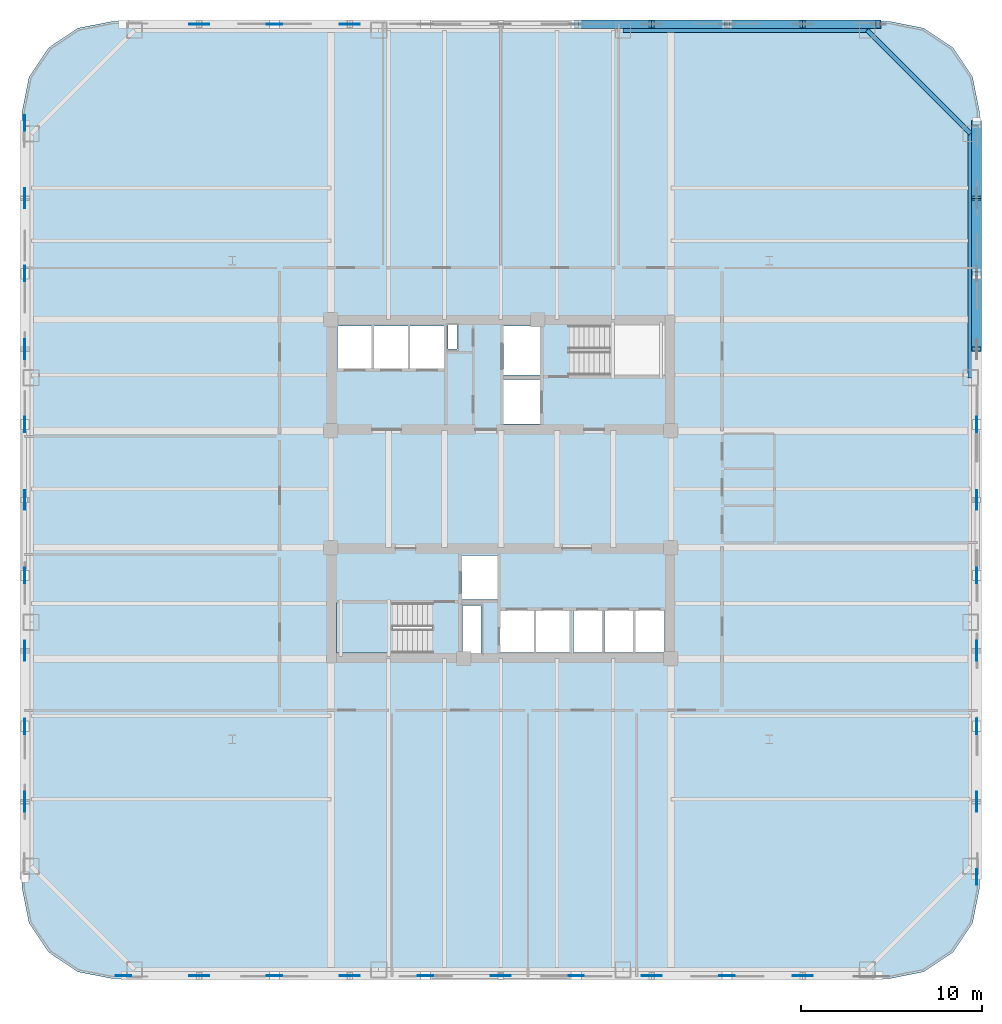
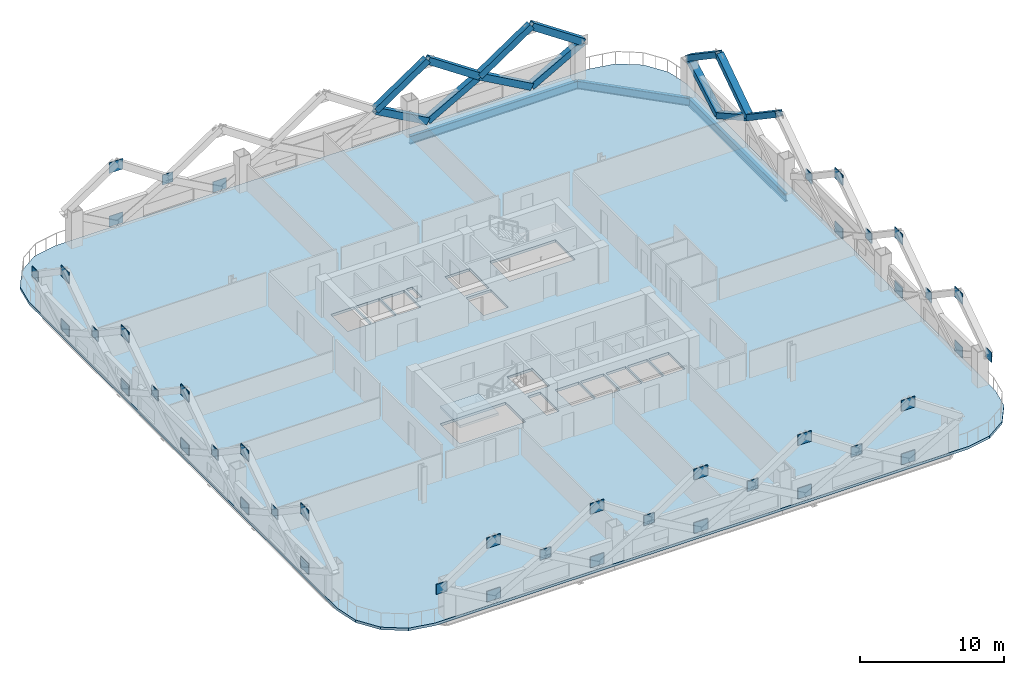
# One storey, part 3 of 13: 44 plates, 13 members, 3 beams, 2 slabs, 1 element without a shape of its own.
"""IFC4 building model written with IfcOpenShell, lengths in metres."""

from ifc_helpers import new_model, si_unit, direction, frame, origin, origin_2d, place, context, subcontext, project, spatial, polyline, rectangle, hollow_rectangle, i_section, outline, extrude, material, layer, layer_set, material_profile, profile_set, type_object, element, aggregate, save


model = new_model("IFC4")

# Units and contexts
model_context = context("Model", 3, precision=1e-05, world=origin(), true_north=direction((0.0, 1.0)))
body_context = subcontext(model_context, "Body", "Model", "MODEL_VIEW")
ifc_project = project(units=[si_unit("LENGTHUNIT", "METRE"), si_unit("AREAUNIT", "SQUARE_METRE"), si_unit("VOLUMEUNIT", "CUBIC_METRE"), si_unit("PLANEANGLEUNIT", "RADIAN"), si_unit("MASSUNIT", "GRAM", prefix="KILO")], contexts=[model_context])

# Site, building, storey
site_placement = place(None, origin())
site = spatial("IfcSite", under=ifc_project, at=site_placement, CompositionType="ELEMENT")
building_placement = place(site_placement, origin())
building = spatial("IfcBuilding", under=site, at=building_placement, Name="Qhalaya Broadcast Tower", CompositionType="ELEMENT")
storey_placement = place(building_placement, frame((0.0, 0.0, 44.39990234375)))
storey = spatial("IfcBuildingStorey", under=building, at=storey_placement, Name="L12", CompositionType="ELEMENT", Elevation=44.39990234375)

# Members
ifc_material_1 = material(Name="Structural Steel ASTM A572 Grade 50", Category="steel")
ifc_material_profile_1 = material_profile(ifc_material_1, hollow_rectangle(XDim=0.449951171875, YDim=0.550048828125, WallThickness=0.031982421875, at=origin_2d()), Name="BOX 450x550x32")
ifc_profile_set_1 = profile_set([ifc_material_profile_1], Name="Structural Steel ASTM A572 Grade 50")
member_type = type_object("IfcMemberType", Name="Exoskeleton Diamond Diagonal Lower EX1", PredefinedType="BRACE", material=ifc_profile_set_1)
member_1_placement = place(storey_placement, frame((26.239990234375, 12.47998046875, 2.690185546875), z_axis=(0.0, -0.828675543973, 0.5597292585), x_axis=(0.0, 0.5597292585, 0.828675543973)))
element("IfcMember", 1, at=member_1_placement, inside=storey, type_object=member_type, Name="B1 Exoskeleton Diamond Brace E4-D4", PredefinedType="BRACE", context=body_context, shape_type="SweptSolid", body=[
    extrude(hollow_rectangle(XDim=0.449951171875, YDim=0.550048828125, WallThickness=0.031982421875, at=origin_2d()), origin(), (0.0, 0.0, 1.0), 5.02001953125),
])
member_2_placement = place(storey_placement, frame((26.239990234375, 16.639892578125, 0.360107421875), z_axis=(0.0, -0.872458862126, 0.488687562658), x_axis=(0.0, 0.488687562658, 0.872458862126)))
element("IfcMember", 2, at=member_2_placement, inside=storey, type_object=member_type, Name="B1 Exoskeleton Diamond Brace E5-D1", PredefinedType="BRACE", context=body_context, shape_type="SweptSolid", body=[
    extrude(hollow_rectangle(XDim=0.449951171875, YDim=0.550048828125, WallThickness=0.031982421875, at=origin_2d()), origin(), (0.0, 0.0, 1.0), 4.76806640625),
])
member_3_placement = place(storey_placement, frame((26.239990234375, 16.639892578125, 0.360107421875), z_axis=(0.0, 0.872471089532, 0.488665732306), x_axis=(0.0, -0.488665732306, 0.872471089532)))
element("IfcMember", 3, at=member_3_placement, inside=storey, type_object=member_type, Name="B1 Exoskeleton Diamond Brace E5-D2", PredefinedType="BRACE", context=body_context, shape_type="SweptSolid", body=[
    extrude(hollow_rectangle(XDim=0.449951171875, YDim=0.550048828125, WallThickness=0.031982421875, at=origin_2d()), origin(), (0.0, 0.0, 1.0), 4.768310546875),
])
member_4_placement = place(storey_placement, frame((26.239990234375, 12.47998046875, 2.690185546875), z_axis=(0.0, 0.828675543973, 0.5597292585), x_axis=(0.0, -0.5597292585, 0.828675543973)))
element("IfcMember", 4, at=member_4_placement, inside=storey, type_object=member_type, Name="B1 Exoskeleton Diamond Brace E5-D3", PredefinedType="BRACE", context=body_context, shape_type="SweptSolid", body=[
    extrude(hollow_rectangle(XDim=0.449951171875, YDim=0.550048828125, WallThickness=0.031982421875, at=origin_2d()), origin(), (0.0, 0.0, 1.0), 5.02001953125),
])
member_5_placement = place(storey_placement, frame((26.239990234375, 20.800048828125, 2.690185546875), z_axis=(0.0, -0.828690779946, 0.559706701079), x_axis=(0.0, 0.559706701079, 0.828690779946)))
element("IfcMember", 5, at=member_5_placement, inside=storey, type_object=member_type, Name="B1 Exoskeleton Diamond Brace E5-D4", PredefinedType="BRACE", context=body_context, shape_type="SweptSolid", body=[
    extrude(hollow_rectangle(XDim=0.449951171875, YDim=0.550048828125, WallThickness=0.031982421875, at=origin_2d()), origin(), (0.0, 0.0, 1.0), 5.020263671875),
])
member_6_placement = place(storey_placement, frame((16.639892578125, 26.239990234375, 0.360107421875), z_axis=(0.872471089532, 0.0, 0.488665732306), x_axis=(0.0, 1.0, 0.0)))
element("IfcMember", 6, at=member_6_placement, inside=storey, type_object=member_type, Name="B1 Exoskeleton Diamond Brace N1-D1", PredefinedType="BRACE", context=body_context, shape_type="SweptSolid", body=[
    extrude(hollow_rectangle(XDim=0.449951171875, YDim=0.550048828125, WallThickness=0.031982421875, at=origin_2d()), origin(), (0.0, 0.0, 1.0), 4.768310546875),
])
member_7_placement = place(storey_placement, frame((16.639892578125, 26.239990234375, 0.360107421875), z_axis=(-0.872458862126, 0.0, 0.488687562658), x_axis=(0.0, -1.0, 0.0)))
element("IfcMember", 7, at=member_7_placement, inside=storey, type_object=member_type, Name="B1 Exoskeleton Diamond Brace N1-D2", PredefinedType="BRACE", context=body_context, shape_type="SweptSolid", body=[
    extrude(hollow_rectangle(XDim=0.449951171875, YDim=0.550048828125, WallThickness=0.031982421875, at=origin_2d()), origin(), (0.0, 0.0, 1.0), 4.76806640625),
])
member_8_placement = place(storey_placement, frame((20.800048828125, 26.239990234375, 2.690185546875), z_axis=(-0.828690779946, 0.0, 0.559706701079), x_axis=(0.0, -1.0, 0.0)))
element("IfcMember", 8, at=member_8_placement, inside=storey, type_object=member_type, Name="B1 Exoskeleton Diamond Brace N1-D3", PredefinedType="BRACE", context=body_context, shape_type="SweptSolid", body=[
    extrude(hollow_rectangle(XDim=0.449951171875, YDim=0.550048828125, WallThickness=0.031982421875, at=origin_2d()), origin(), (0.0, 0.0, 1.0), 5.020263671875),
])
member_9_placement = place(storey_placement, frame((12.47998046875, 26.239990234375, 2.690185546875), z_axis=(0.828675543973, 0.0, 0.5597292585), x_axis=(0.0, 1.0, 0.0)))
element("IfcMember", 9, at=member_9_placement, inside=storey, type_object=member_type, Name="B1 Exoskeleton Diamond Brace N1-D4", PredefinedType="BRACE", context=body_context, shape_type="SweptSolid", body=[
    extrude(hollow_rectangle(XDim=0.449951171875, YDim=0.550048828125, WallThickness=0.031982421875, at=origin_2d()), origin(), (0.0, 0.0, 1.0), 5.02001953125),
])
member_10_placement = place(storey_placement, frame((8.320068359375, 26.239990234375, 0.360107421875), z_axis=(0.872458862126, 0.0, 0.488687562658), x_axis=(0.0, 1.0, 0.0)))
element("IfcMember", 10, at=member_10_placement, inside=storey, type_object=member_type, Name="B1 Exoskeleton Diamond Brace N2-D1", PredefinedType="BRACE", context=body_context, shape_type="SweptSolid", body=[
    extrude(hollow_rectangle(XDim=0.449951171875, YDim=0.550048828125, WallThickness=0.031982421875, at=origin_2d()), origin(), (0.0, 0.0, 1.0), 4.76806640625),
])
member_11_placement = place(storey_placement, frame((8.320068359375, 26.239990234375, 0.360107421875), z_axis=(-0.872471089532, 0.0, 0.488665732306), x_axis=(0.0, -1.0, 0.0)))
element("IfcMember", 11, at=member_11_placement, inside=storey, type_object=member_type, Name="B1 Exoskeleton Diamond Brace N2-D2", PredefinedType="BRACE", context=body_context, shape_type="SweptSolid", body=[
    extrude(hollow_rectangle(XDim=0.449951171875, YDim=0.550048828125, WallThickness=0.031982421875, at=origin_2d()), origin(), (0.0, 0.0, 1.0), 4.768310546875),
])
member_12_placement = place(storey_placement, frame((12.47998046875, 26.239990234375, 2.690185546875), z_axis=(-0.828675543973, 0.0, 0.5597292585), x_axis=(0.0, -1.0, 0.0)))
element("IfcMember", 12, at=member_12_placement, inside=storey, type_object=member_type, Name="B1 Exoskeleton Diamond Brace N2-D3", PredefinedType="BRACE", context=body_context, shape_type="SweptSolid", body=[
    extrude(hollow_rectangle(XDim=0.449951171875, YDim=0.550048828125, WallThickness=0.031982421875, at=origin_2d()), origin(), (0.0, 0.0, 1.0), 5.02001953125),
])
member_13_placement = place(storey_placement, frame((4.159912109375, 26.239990234375, 2.690185546875), z_axis=(0.828690779946, 0.0, 0.559706701079), x_axis=(0.0, 1.0, 0.0)))
element("IfcMember", 13, at=member_13_placement, inside=storey, type_object=member_type, Name="B1 Exoskeleton Diamond Brace N2-D4", PredefinedType="BRACE", context=body_context, shape_type="SweptSolid", body=[
    extrude(hollow_rectangle(XDim=0.449951171875, YDim=0.550048828125, WallThickness=0.031982421875, at=origin_2d()), origin(), (0.0, 0.0, 1.0), 5.020263671875),
])

# Beams
ifc_material_2 = material(Name="Structural Steel ASTM A992 Grade 50", Category="steel")
ifc_material_profile_2 = material_profile(ifc_material_2, i_section(OverallWidth=0.25390625, OverallDepth=0.68310546875, WebThickness=0.012451171875, FlangeThickness=0.01904296875, at=origin_2d()), Name="W27X94")
ifc_profile_set_2 = profile_set([ifc_material_profile_2], Name="Structural Steel ASTM A992 Grade 50")
beam_type = type_object("IfcBeamType", Name="Perimeter Ring Spandrel Beam SP1", PredefinedType="SPANDREL", material=ifc_profile_set_2)
beam_1_placement = place(storey_placement, frame((25.89990234375, 6.7333984375, -0.5615234375), z_axis=(0.0, 1.0, 0.0), x_axis=(-1.0, 0.0, 0.0)))
element("IfcBeam", 14, at=beam_1_placement, inside=storey, type_object=beam_type, Name="L12 SP1 L12-SPR-07", PredefinedType="SPANDREL", context=body_context, shape_type="SweptSolid", body=[
    extrude(i_section(OverallWidth=0.25390625, OverallDepth=0.68310546875, WebThickness=0.012451171875, FlangeThickness=0.01904296875, at=origin_2d()), origin(), (0.0, 0.0, 1.0), 13.466552734375),
])
beam_2_placement = place(storey_placement, frame((25.89990234375, 20.199951171875, -0.5615234375), z_axis=(-0.707106781187, 0.707106781187, 0.0), x_axis=(-0.707106781187, -0.707106781187, 0.0)))
element("IfcBeam", 15, at=beam_2_placement, inside=storey, type_object=beam_type, Name="L12 SP1 L12-SPR-08", PredefinedType="SPANDREL", context=body_context, shape_type="SweptSolid", body=[
    extrude(i_section(OverallWidth=0.25390625, OverallDepth=0.68310546875, WebThickness=0.012451171875, FlangeThickness=0.01904296875, at=origin_2d()), origin(), (0.0, 0.0, 1.0), 8.06103515625),
])
beam_3_placement = place(storey_placement, frame((20.199951171875, 25.89990234375, -0.5615234375), z_axis=(-1.0, 0.0, 0.0), x_axis=(0.0, -1.0, 0.0)))
element("IfcBeam", 16, at=beam_3_placement, inside=storey, type_object=beam_type, Name="L12 SP1 L12-SPR-09", PredefinedType="SPANDREL", context=body_context, shape_type="SweptSolid", body=[
    extrude(i_section(OverallWidth=0.25390625, OverallDepth=0.68310546875, WebThickness=0.012451171875, FlangeThickness=0.01904296875, at=origin_2d()), origin(), (0.0, 0.0, 1.0), 13.466552734375),
])

# Plates
ifc_layer_1 = layer(ifc_material_1, 0.054931640625, Name="Structural Steel ASTM A572 Grade 50")
ifc_layer_set_1 = layer_set([ifc_layer_1], Name="Structural Steel ASTM A572 Grade 50")
plate_type = type_object("IfcPlateType", Name="Exoskeleton Diamond Node Gusset Plate NP-01", PredefinedType="USERDEFINED", material=ifc_layer_set_1)
for number, where, z_axis, x_axis, name in (
    (17, (-16.639892578125, -26.239990234375, 0.210205078125), (0.0, 0.0, 1.0), (1.0, 0.0, 0.0), "Exoskeleton Diamond Node B1-S1-BOT"),
    (18, (-16.639892578125, -26.239990234375, 4.750244140625), (0.0, 0.0, 1.0), (1.0, 0.0, 0.0), "Exoskeleton Diamond Node B1-S1-TOP"),
):
    element("IfcPlate", number, at=place(storey_placement, frame(where, z_axis=z_axis, x_axis=x_axis)), inside=storey, type_object=plate_type, Name=name, ObjectType="GUSSET_PLATE", PredefinedType="USERDEFINED", context=body_context, shape_type="SweptSolid", body=[
        extrude(rectangle(XDim=1.10009765625, YDim=0.054931640625, at=origin_2d()), origin(), (0.0, 0.0, 1.0), 0.89990234375),
    ])
plate_1_placement = place(storey_placement, frame((-20.800048828125, -26.239990234375, 2.26513671875), z_axis=(0.0, 0.0, 1.0), x_axis=(1.0, 0.0, 0.0)))
element("IfcPlate", 19, at=plate_1_placement, inside=storey, type_object=plate_type, Name="Exoskeleton Diamond Node B1-S1-MDL", ObjectType="GUSSET_PLATE", PredefinedType="USERDEFINED", context=body_context, shape_type="SweptSolid", body=[
    extrude(rectangle(XDim=0.85009765625, YDim=0.054931640625, at=origin_2d()), origin(), (0.0, 0.0, 1.0), 0.85009765625),
])
for number, where, z_axis, x_axis, name in (
    (20, (-8.320068359375, -26.239990234375, 0.210205078125), (0.0, 0.0, 1.0), (1.0, 0.0, 0.0), "Exoskeleton Diamond Node B1-S2-BOT"),
    (21, (-8.320068359375, -26.239990234375, 4.750244140625), (0.0, 0.0, 1.0), (1.0, 0.0, 0.0), "Exoskeleton Diamond Node B1-S2-TOP"),
):
    element("IfcPlate", number, at=place(storey_placement, frame(where, z_axis=z_axis, x_axis=x_axis)), inside=storey, type_object=plate_type, Name=name, ObjectType="GUSSET_PLATE", PredefinedType="USERDEFINED", context=body_context, shape_type="SweptSolid", body=[
        extrude(rectangle(XDim=1.10009765625, YDim=0.054931640625, at=origin_2d()), origin(), (0.0, 0.0, 1.0), 0.89990234375),
    ])
plate_2_placement = place(storey_placement, frame((-12.47998046875, -26.239990234375, 2.26513671875), z_axis=(0.0, 0.0, 1.0), x_axis=(1.0, 0.0, 0.0)))
element("IfcPlate", 22, at=plate_2_placement, inside=storey, type_object=plate_type, Name="Exoskeleton Diamond Node B1-S2-MDL", ObjectType="GUSSET_PLATE", PredefinedType="USERDEFINED", context=body_context, shape_type="SweptSolid", body=[
    extrude(rectangle(XDim=0.85009765625, YDim=0.054931640625, at=origin_2d()), origin(), (0.0, 0.0, 1.0), 0.85009765625),
])
for number, where, z_axis, x_axis, name in (
    (23, (0.0, -26.239990234375, 0.210205078125), (0.0, 0.0, 1.0), (1.0, 0.0, 0.0), "Exoskeleton Diamond Node B1-S3-BOT"),
    (24, (0.0, -26.239990234375, 4.750244140625), (0.0, 0.0, 1.0), (1.0, 0.0, 0.0), "Exoskeleton Diamond Node B1-S3-TOP"),
):
    element("IfcPlate", number, at=place(storey_placement, frame(where, z_axis=z_axis, x_axis=x_axis)), inside=storey, type_object=plate_type, Name=name, ObjectType="GUSSET_PLATE", PredefinedType="USERDEFINED", context=body_context, shape_type="SweptSolid", body=[
        extrude(rectangle(XDim=1.10009765625, YDim=0.054931640625, at=origin_2d()), origin(), (0.0, 0.0, 1.0), 0.89990234375),
    ])
plate_3_placement = place(storey_placement, frame((-4.159912109375, -26.239990234375, 2.26513671875), z_axis=(0.0, 0.0, 1.0), x_axis=(1.0, 0.0, 0.0)))
element("IfcPlate", 25, at=plate_3_placement, inside=storey, type_object=plate_type, Name="Exoskeleton Diamond Node B1-S3-MDL", ObjectType="GUSSET_PLATE", PredefinedType="USERDEFINED", context=body_context, shape_type="SweptSolid", body=[
    extrude(rectangle(XDim=0.85009765625, YDim=0.054931640625, at=origin_2d()), origin(), (0.0, 0.0, 1.0), 0.85009765625),
])
for number, where, z_axis, x_axis, name in (
    (26, (8.320068359375, -26.239990234375, 0.210205078125), (0.0, 0.0, 1.0), (1.0, 0.0, 0.0), "Exoskeleton Diamond Node B1-S4-BOT"),
    (27, (8.320068359375, -26.239990234375, 4.750244140625), (0.0, 0.0, 1.0), (1.0, 0.0, 0.0), "Exoskeleton Diamond Node B1-S4-TOP"),
):
    element("IfcPlate", number, at=place(storey_placement, frame(where, z_axis=z_axis, x_axis=x_axis)), inside=storey, type_object=plate_type, Name=name, ObjectType="GUSSET_PLATE", PredefinedType="USERDEFINED", context=body_context, shape_type="SweptSolid", body=[
        extrude(rectangle(XDim=1.10009765625, YDim=0.054931640625, at=origin_2d()), origin(), (0.0, 0.0, 1.0), 0.89990234375),
    ])
plate_4_placement = place(storey_placement, frame((4.159912109375, -26.239990234375, 2.26513671875), z_axis=(0.0, 0.0, 1.0), x_axis=(1.0, 0.0, 0.0)))
element("IfcPlate", 28, at=plate_4_placement, inside=storey, type_object=plate_type, Name="Exoskeleton Diamond Node B1-S4-MDL", ObjectType="GUSSET_PLATE", PredefinedType="USERDEFINED", context=body_context, shape_type="SweptSolid", body=[
    extrude(rectangle(XDim=0.85009765625, YDim=0.054931640625, at=origin_2d()), origin(), (0.0, 0.0, 1.0), 0.85009765625),
])
for number, where, z_axis, x_axis, name in (
    (29, (16.639892578125, -26.239990234375, 0.210205078125), (0.0, 0.0, 1.0), (1.0, 0.0, 0.0), "Exoskeleton Diamond Node B1-S5-BOT"),
    (30, (16.639892578125, -26.239990234375, 4.750244140625), (0.0, 0.0, 1.0), (1.0, 0.0, 0.0), "Exoskeleton Diamond Node B1-S5-TOP"),
):
    element("IfcPlate", number, at=place(storey_placement, frame(where, z_axis=z_axis, x_axis=x_axis)), inside=storey, type_object=plate_type, Name=name, ObjectType="GUSSET_PLATE", PredefinedType="USERDEFINED", context=body_context, shape_type="SweptSolid", body=[
        extrude(rectangle(XDim=1.10009765625, YDim=0.054931640625, at=origin_2d()), origin(), (0.0, 0.0, 1.0), 0.89990234375),
    ])
plate_5_placement = place(storey_placement, frame((12.47998046875, -26.239990234375, 2.26513671875), z_axis=(0.0, 0.0, 1.0), x_axis=(1.0, 0.0, 0.0)))
element("IfcPlate", 31, at=plate_5_placement, inside=storey, type_object=plate_type, Name="Exoskeleton Diamond Node B1-S5-MDL", ObjectType="GUSSET_PLATE", PredefinedType="USERDEFINED", context=body_context, shape_type="SweptSolid", body=[
    extrude(rectangle(XDim=0.85009765625, YDim=0.054931640625, at=origin_2d()), origin(), (0.0, 0.0, 1.0), 0.85009765625),
])
for number, where, z_axis, x_axis, name in (
    (32, (26.239990234375, -16.639892578125, 0.210205078125), (0.0, 0.0, 1.0), (0.0, 1.0, 0.0), "Exoskeleton Diamond Node B1-E1-BOT"),
    (33, (26.239990234375, -16.639892578125, 4.750244140625), (0.0, 0.0, 1.0), (0.0, 1.0, 0.0), "Exoskeleton Diamond Node B1-E1-TOP"),
):
    element("IfcPlate", number, at=place(storey_placement, frame(where, z_axis=z_axis, x_axis=x_axis)), inside=storey, type_object=plate_type, Name=name, ObjectType="GUSSET_PLATE", PredefinedType="USERDEFINED", context=body_context, shape_type="SweptSolid", body=[
        extrude(rectangle(XDim=1.10009765625, YDim=0.054931640625, at=origin_2d()), origin(), (0.0, 0.0, 1.0), 0.89990234375),
    ])
plate_6_placement = place(storey_placement, frame((26.239990234375, -20.800048828125, 2.26513671875), z_axis=(0.0, 0.0, 1.0), x_axis=(0.0, 1.0, 0.0)))
element("IfcPlate", 34, at=plate_6_placement, inside=storey, type_object=plate_type, Name="Exoskeleton Diamond Node B1-E1-MDL", ObjectType="GUSSET_PLATE", PredefinedType="USERDEFINED", context=body_context, shape_type="SweptSolid", body=[
    extrude(rectangle(XDim=0.85009765625, YDim=0.054931640625, at=origin_2d()), origin(), (0.0, 0.0, 1.0), 0.85009765625),
])
for number, where, z_axis, x_axis, name in (
    (35, (26.239990234375, -8.320068359375, 0.210205078125), (0.0, 0.0, 1.0), (0.0, 1.0, 0.0), "Exoskeleton Diamond Node B1-E2-BOT"),
    (36, (26.239990234375, -8.320068359375, 4.750244140625), (0.0, 0.0, 1.0), (0.0, 1.0, 0.0), "Exoskeleton Diamond Node B1-E2-TOP"),
):
    element("IfcPlate", number, at=place(storey_placement, frame(where, z_axis=z_axis, x_axis=x_axis)), inside=storey, type_object=plate_type, Name=name, ObjectType="GUSSET_PLATE", PredefinedType="USERDEFINED", context=body_context, shape_type="SweptSolid", body=[
        extrude(rectangle(XDim=1.10009765625, YDim=0.054931640625, at=origin_2d()), origin(), (0.0, 0.0, 1.0), 0.89990234375),
    ])
plate_7_placement = place(storey_placement, frame((26.239990234375, -12.47998046875, 2.26513671875), z_axis=(0.0, 0.0, 1.0), x_axis=(0.0, 1.0, 0.0)))
element("IfcPlate", 37, at=plate_7_placement, inside=storey, type_object=plate_type, Name="Exoskeleton Diamond Node B1-E2-MDL", ObjectType="GUSSET_PLATE", PredefinedType="USERDEFINED", context=body_context, shape_type="SweptSolid", body=[
    extrude(rectangle(XDim=0.85009765625, YDim=0.054931640625, at=origin_2d()), origin(), (0.0, 0.0, 1.0), 0.85009765625),
])
for number, where, z_axis, x_axis, name in (
    (38, (26.239990234375, 0.0, 0.210205078125), (0.0, 0.0, 1.0), (0.0, 1.0, 0.0), "Exoskeleton Diamond Node B1-E3-BOT"),
    (39, (26.239990234375, 0.0, 4.750244140625), (0.0, 0.0, 1.0), (0.0, 1.0, 0.0), "Exoskeleton Diamond Node B1-E3-TOP"),
):
    element("IfcPlate", number, at=place(storey_placement, frame(where, z_axis=z_axis, x_axis=x_axis)), inside=storey, type_object=plate_type, Name=name, ObjectType="GUSSET_PLATE", PredefinedType="USERDEFINED", context=body_context, shape_type="SweptSolid", body=[
        extrude(rectangle(XDim=1.10009765625, YDim=0.054931640625, at=origin_2d()), origin(), (0.0, 0.0, 1.0), 0.89990234375),
    ])
for number, where, z_axis, x_axis, name in (
    (40, (26.239990234375, -4.159912109375, 2.26513671875), (0.0, 0.0, 1.0), (0.0, 1.0, 0.0), "Exoskeleton Diamond Node B1-E3-MDL"),
    (41, (26.239990234375, 4.159912109375, 2.26513671875), (0.0, 0.0, 1.0), (0.0, 1.0, 0.0), "Exoskeleton Diamond Node B1-E4-MDL"),
):
    element("IfcPlate", number, at=place(storey_placement, frame(where, z_axis=z_axis, x_axis=x_axis)), inside=storey, type_object=plate_type, Name=name, ObjectType="GUSSET_PLATE", PredefinedType="USERDEFINED", context=body_context, shape_type="SweptSolid", body=[
        extrude(rectangle(XDim=0.85009765625, YDim=0.054931640625, at=origin_2d()), origin(), (0.0, 0.0, 1.0), 0.85009765625),
    ])
for number, where, z_axis, x_axis, name in (
    (42, (-8.320068359375, 26.239990234375, 0.210205078125), (0.0, 0.0, 1.0), (1.0, 0.0, 0.0), "Exoskeleton Diamond Node B1-N4-BOT"),
    (43, (-16.639892578125, 26.239990234375, 0.210205078125), (0.0, 0.0, 1.0), (1.0, 0.0, 0.0), "Exoskeleton Diamond Node B1-N5-BOT"),
    (44, (-16.639892578125, 26.239990234375, 4.750244140625), (0.0, 0.0, 1.0), (1.0, 0.0, 0.0), "Exoskeleton Diamond Node B1-N5-TOP"),
):
    element("IfcPlate", number, at=place(storey_placement, frame(where, z_axis=z_axis, x_axis=x_axis)), inside=storey, type_object=plate_type, Name=name, ObjectType="GUSSET_PLATE", PredefinedType="USERDEFINED", context=body_context, shape_type="SweptSolid", body=[
        extrude(rectangle(XDim=1.10009765625, YDim=0.054931640625, at=origin_2d()), origin(), (0.0, 0.0, 1.0), 0.89990234375),
    ])
plate_8_placement = place(storey_placement, frame((-12.47998046875, 26.239990234375, 2.26513671875), z_axis=(0.0, 0.0, 1.0), x_axis=(1.0, 0.0, 0.0)))
element("IfcPlate", 45, at=plate_8_placement, inside=storey, type_object=plate_type, Name="Exoskeleton Diamond Node B1-N5-MDL", ObjectType="GUSSET_PLATE", PredefinedType="USERDEFINED", context=body_context, shape_type="SweptSolid", body=[
    extrude(rectangle(XDim=0.85009765625, YDim=0.054931640625, at=origin_2d()), origin(), (0.0, 0.0, 1.0), 0.85009765625),
])
for number, where, z_axis, x_axis, name in (
    (46, (-26.239990234375, 16.639892578125, 0.210205078125), (0.0, 0.0, 1.0), (0.0, 1.0, 0.0), "Exoskeleton Diamond Node B1-W1-BOT"),
    (47, (-26.239990234375, 16.639892578125, 4.750244140625), (0.0, 0.0, 1.0), (0.0, 1.0, 0.0), "Exoskeleton Diamond Node B1-W1-TOP"),
):
    element("IfcPlate", number, at=place(storey_placement, frame(where, z_axis=z_axis, x_axis=x_axis)), inside=storey, type_object=plate_type, Name=name, ObjectType="GUSSET_PLATE", PredefinedType="USERDEFINED", context=body_context, shape_type="SweptSolid", body=[
        extrude(rectangle(XDim=1.10009765625, YDim=0.054931640625, at=origin_2d()), origin(), (0.0, 0.0, 1.0), 0.89990234375),
    ])
plate_9_placement = place(storey_placement, frame((-26.239990234375, 20.800048828125, 2.26513671875), z_axis=(0.0, 0.0, 1.0), x_axis=(0.0, 1.0, 0.0)))
element("IfcPlate", 48, at=plate_9_placement, inside=storey, type_object=plate_type, Name="Exoskeleton Diamond Node B1-W1-MDL", ObjectType="GUSSET_PLATE", PredefinedType="USERDEFINED", context=body_context, shape_type="SweptSolid", body=[
    extrude(rectangle(XDim=0.85009765625, YDim=0.054931640625, at=origin_2d()), origin(), (0.0, 0.0, 1.0), 0.85009765625),
])
for number, where, z_axis, x_axis, name in (
    (49, (-26.239990234375, 8.320068359375, 0.210205078125), (0.0, 0.0, 1.0), (0.0, 1.0, 0.0), "Exoskeleton Diamond Node B1-W2-BOT"),
    (50, (-26.239990234375, 8.320068359375, 4.750244140625), (0.0, 0.0, 1.0), (0.0, 1.0, 0.0), "Exoskeleton Diamond Node B1-W2-TOP"),
):
    element("IfcPlate", number, at=place(storey_placement, frame(where, z_axis=z_axis, x_axis=x_axis)), inside=storey, type_object=plate_type, Name=name, ObjectType="GUSSET_PLATE", PredefinedType="USERDEFINED", context=body_context, shape_type="SweptSolid", body=[
        extrude(rectangle(XDim=1.10009765625, YDim=0.054931640625, at=origin_2d()), origin(), (0.0, 0.0, 1.0), 0.89990234375),
    ])
plate_10_placement = place(storey_placement, frame((-26.239990234375, 12.47998046875, 2.26513671875), z_axis=(0.0, 0.0, 1.0), x_axis=(0.0, 1.0, 0.0)))
element("IfcPlate", 51, at=plate_10_placement, inside=storey, type_object=plate_type, Name="Exoskeleton Diamond Node B1-W2-MDL", ObjectType="GUSSET_PLATE", PredefinedType="USERDEFINED", context=body_context, shape_type="SweptSolid", body=[
    extrude(rectangle(XDim=0.85009765625, YDim=0.054931640625, at=origin_2d()), origin(), (0.0, 0.0, 1.0), 0.85009765625),
])
for number, where, z_axis, x_axis, name in (
    (52, (-26.239990234375, 0.0, 0.210205078125), (0.0, 0.0, 1.0), (0.0, 1.0, 0.0), "Exoskeleton Diamond Node B1-W3-BOT"),
    (53, (-26.239990234375, 0.0, 4.750244140625), (0.0, 0.0, 1.0), (0.0, 1.0, 0.0), "Exoskeleton Diamond Node B1-W3-TOP"),
):
    element("IfcPlate", number, at=place(storey_placement, frame(where, z_axis=z_axis, x_axis=x_axis)), inside=storey, type_object=plate_type, Name=name, ObjectType="GUSSET_PLATE", PredefinedType="USERDEFINED", context=body_context, shape_type="SweptSolid", body=[
        extrude(rectangle(XDim=1.10009765625, YDim=0.054931640625, at=origin_2d()), origin(), (0.0, 0.0, 1.0), 0.89990234375),
    ])
plate_11_placement = place(storey_placement, frame((-26.239990234375, 4.159912109375, 2.26513671875), z_axis=(0.0, 0.0, 1.0), x_axis=(0.0, 1.0, 0.0)))
element("IfcPlate", 54, at=plate_11_placement, inside=storey, type_object=plate_type, Name="Exoskeleton Diamond Node B1-W3-MDL", ObjectType="GUSSET_PLATE", PredefinedType="USERDEFINED", context=body_context, shape_type="SweptSolid", body=[
    extrude(rectangle(XDim=0.85009765625, YDim=0.054931640625, at=origin_2d()), origin(), (0.0, 0.0, 1.0), 0.85009765625),
])
for number, where, z_axis, x_axis, name in (
    (55, (-26.239990234375, -8.320068359375, 0.210205078125), (0.0, 0.0, 1.0), (0.0, 1.0, 0.0), "Exoskeleton Diamond Node B1-W4-BOT"),
    (56, (-26.239990234375, -8.320068359375, 4.750244140625), (0.0, 0.0, 1.0), (0.0, 1.0, 0.0), "Exoskeleton Diamond Node B1-W4-TOP"),
):
    element("IfcPlate", number, at=place(storey_placement, frame(where, z_axis=z_axis, x_axis=x_axis)), inside=storey, type_object=plate_type, Name=name, ObjectType="GUSSET_PLATE", PredefinedType="USERDEFINED", context=body_context, shape_type="SweptSolid", body=[
        extrude(rectangle(XDim=1.10009765625, YDim=0.054931640625, at=origin_2d()), origin(), (0.0, 0.0, 1.0), 0.89990234375),
    ])
plate_12_placement = place(storey_placement, frame((-26.239990234375, -4.159912109375, 2.26513671875), z_axis=(0.0, 0.0, 1.0), x_axis=(0.0, 1.0, 0.0)))
element("IfcPlate", 57, at=plate_12_placement, inside=storey, type_object=plate_type, Name="Exoskeleton Diamond Node B1-W4-MDL", ObjectType="GUSSET_PLATE", PredefinedType="USERDEFINED", context=body_context, shape_type="SweptSolid", body=[
    extrude(rectangle(XDim=0.85009765625, YDim=0.054931640625, at=origin_2d()), origin(), (0.0, 0.0, 1.0), 0.85009765625),
])
for number, where, z_axis, x_axis, name in (
    (58, (-26.239990234375, -16.639892578125, 0.210205078125), (0.0, 0.0, 1.0), (0.0, 1.0, 0.0), "Exoskeleton Diamond Node B1-W5-BOT"),
    (59, (-26.239990234375, -16.639892578125, 4.750244140625), (0.0, 0.0, 1.0), (0.0, 1.0, 0.0), "Exoskeleton Diamond Node B1-W5-TOP"),
):
    element("IfcPlate", number, at=place(storey_placement, frame(where, z_axis=z_axis, x_axis=x_axis)), inside=storey, type_object=plate_type, Name=name, ObjectType="GUSSET_PLATE", PredefinedType="USERDEFINED", context=body_context, shape_type="SweptSolid", body=[
        extrude(rectangle(XDim=1.10009765625, YDim=0.054931640625, at=origin_2d()), origin(), (0.0, 0.0, 1.0), 0.89990234375),
    ])
plate_13_placement = place(storey_placement, frame((-26.239990234375, -12.47998046875, 2.26513671875), z_axis=(0.0, 0.0, 1.0), x_axis=(0.0, 1.0, 0.0)))
element("IfcPlate", 60, at=plate_13_placement, inside=storey, type_object=plate_type, Name="Exoskeleton Diamond Node B1-W5-MDL", ObjectType="GUSSET_PLATE", PredefinedType="USERDEFINED", context=body_context, shape_type="SweptSolid", body=[
    extrude(rectangle(XDim=0.85009765625, YDim=0.054931640625, at=origin_2d()), origin(), (0.0, 0.0, 1.0), 0.85009765625),
])

# Stair, slab
ifc_material_3 = material(Name="Concrete C40/50", Category="concrete")
stair_type = type_object("IfcStairType", Name="Protected Dogleg Core Stair 3150", PredefinedType="TWO_STRAIGHT_RUN_STAIR", material=ifc_material_3)
stair_placement = place(storey_placement, origin())
stair = element("IfcStair", 61, at=stair_placement, inside=storey, type_object=stair_type, Name="L12 South Core Exit Stair ST-2", PredefinedType="TWO_STRAIGHT_RUN_STAIR")
ifc_layer_2 = layer(ifc_material_3, 0.199951171875, Name="Concrete C40/50")
ifc_layer_set_2 = layer_set([ifc_layer_2], Name="Concrete C40/50")
slab_type_1 = type_object("IfcSlabType", Name="Stair & Ramp Half-Landing Slab 200", PredefinedType="LANDING", material=ifc_layer_set_2)
slab_1_placement = place(storey_placement, frame((0.0, 0.0, 1.3251953125)))
slab_1 = element("IfcSlab", 62, at=slab_1_placement, type_object=slab_type_1, Name="ST-2 landing 1", PredefinedType="LANDING", context=body_context, shape_type="SweptSolid", body=[
    extrude(outline(polyline([(-5.955078125, -5.679931640625), (-9.050048828125, -5.679931640625), (-9.050048828125, -8.43994140625), (-5.955078125, -8.43994140625), (-5.955078125, -5.679931640625)])), origin(), (0.0, 0.0, 1.0), 0.199951171875),
])
aggregate(stair, [slab_1])

# Slab
ifc_layer_3 = layer(ifc_material_3, 0.219970703125, Name="Concrete C40/50")
ifc_layer_set_3 = layer_set([ifc_layer_3], Name="Concrete C40/50")
slab_type_2 = type_object("IfcSlabType", Name="Tower Composite Floor Slab 220", PredefinedType="FLOOR", material=ifc_layer_set_3)
slab_2_placement = place(storey_placement, frame((0.0, 0.0, -0.219970703125)))
element("IfcSlab", 63, at=slab_2_placement, inside=storey, type_object=slab_type_2, Name="L12 Main Structural Floor Slab", PredefinedType="FLOOR", context=body_context, shape_type="SweptSolid", body=[
    extrude(outline(polyline([(21.39990234375, -26.39990234375), (23.3134765625, -26.019287109375), (24.935546875, -24.935546875), (26.019287109375, -23.3134765625), (26.39990234375, -21.39990234375), (26.39990234375, 21.39990234375), (26.019287109375, 23.3134765625), (24.935546875, 24.935546875), (23.3134765625, 26.019287109375), (21.39990234375, 26.39990234375), (-21.39990234375, 26.39990234375), (-23.3134765625, 26.019287109375), (-24.935546875, 24.935546875), (-26.019287109375, 23.3134765625), (-26.39990234375, 21.39990234375), (-26.39990234375, -21.39990234375), (-26.019287109375, -23.3134765625), (-24.935546875, -24.935546875), (-23.3134765625, -26.019287109375), (-21.39990234375, -26.39990234375), (21.39990234375, -26.39990234375)]), holes=[polyline([(3.784912109375, 9.639892578125), (9.050048828125, 9.639892578125), (9.050048828125, 6.8798828125), (3.784912109375, 6.8798828125), (3.784912109375, 9.639892578125)]), polyline([(-3.784912109375, -8.43994140625), (-9.050048828125, -8.43994140625), (-9.050048828125, -5.679931640625), (-3.784912109375, -5.679931640625), (-3.784912109375, -8.43994140625)]), polyline([(0.14990234375, 6.64990234375), (2.14990234375, 6.64990234375), (2.14990234375, 4.199951171875), (0.14990234375, 4.199951171875), (0.14990234375, 6.64990234375)]), polyline([(0.14990234375, 9.60009765625), (2.14990234375, 9.60009765625), (2.14990234375, 6.89990234375), (0.14990234375, 6.89990234375), (0.14990234375, 9.60009765625)]), polyline([(-2.14990234375, -3.050048828125), (-0.14990234375, -3.050048828125), (-0.14990234375, -5.5), (-2.14990234375, -5.5), (-2.14990234375, -3.050048828125)]), polyline([(-9.0, 9.60009765625), (-7.1201171875, 9.60009765625), (-7.1201171875, 7.25), (-9.0, 7.25), (-9.0, 9.60009765625)]), polyline([(-7.0, 9.60009765625), (-5.1201171875, 9.60009765625), (-5.1201171875, 7.25), (-7.0, 7.25), (-7.0, 9.60009765625)]), polyline([(-5.0, 9.60009765625), (-3.1201171875, 9.60009765625), (-3.1201171875, 7.25), (-5.0, 7.25), (-5.0, 9.60009765625)]), polyline([(-0.050048828125, -6.10009765625), (1.830078125, -6.10009765625), (1.830078125, -8.39990234375), (-0.050048828125, -8.39990234375), (-0.050048828125, -6.10009765625)]), polyline([(1.949951171875, -6.10009765625), (3.830078125, -6.10009765625), (3.830078125, -8.39990234375), (1.949951171875, -8.39990234375), (1.949951171875, -6.10009765625)]), polyline([(4.0, -6.10009765625), (5.60009765625, -6.10009765625), (5.60009765625, -8.39990234375), (4.0, -8.39990234375), (4.0, -6.10009765625)]), polyline([(5.719970703125, -6.10009765625), (7.320068359375, -6.10009765625), (7.320068359375, -8.39990234375), (5.719970703125, -8.39990234375), (5.719970703125, -6.10009765625)]), polyline([(7.43994140625, -6.10009765625), (9.0400390625, -6.10009765625), (9.0400390625, -8.39990234375), (7.43994140625, -8.39990234375), (7.43994140625, -6.10009765625)]), polyline([(-2.919921875, 9.659912109375), (-2.419921875, 9.659912109375), (-2.419921875, 8.320068359375), (-2.919921875, 8.320068359375), (-2.919921875, 9.659912109375)]), polyline([(-2.1201171875, -5.820068359375), (-1.080078125, -5.820068359375), (-1.080078125, -8.4599609375), (-2.1201171875, -8.4599609375), (-2.1201171875, -5.820068359375)])]), origin(), (0.0, 0.0, 1.0), 0.219970703125),
])

save(model, "model.ifc")
